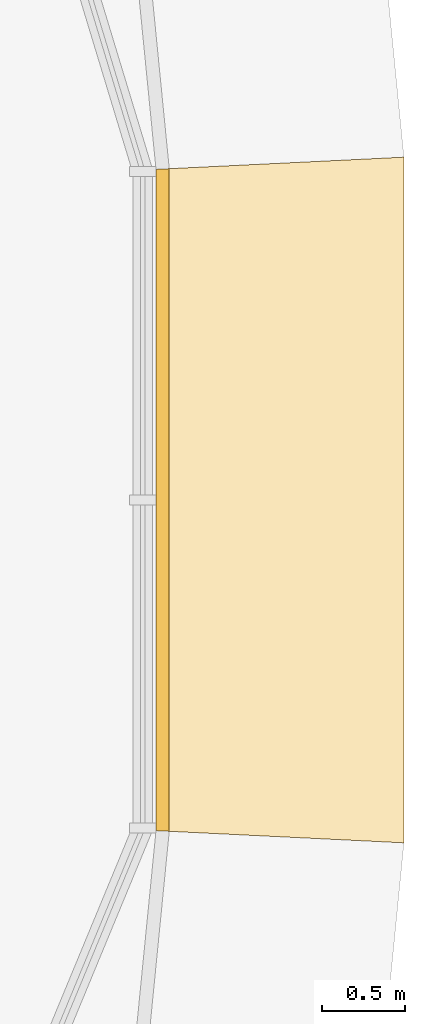
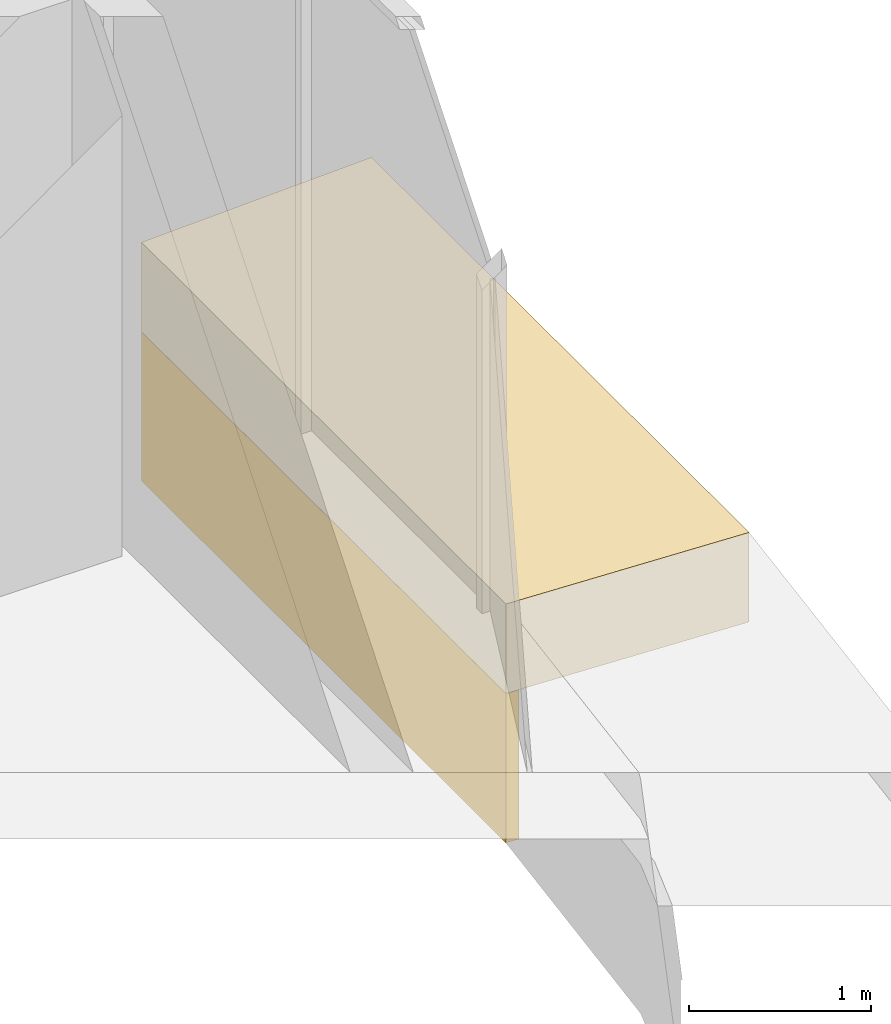
# One storey, part 26 of 26: 2 coverings.
"""IFC4 building model written with IfcOpenShell, lengths in metres."""

from ifc_helpers import new_model, si_unit, direction, frame, origin, place, context, subcontext, project, spatial, polyline, outline, extrude, material, layer, layer_set, type_object, element, save


model = new_model("IFC4")

# Units and contexts
model_context = context("Model", 3, precision=1e-05, world=origin(), true_north=direction((0.0, 1.0)))
body_context = subcontext(model_context, "Body", "Model", "MODEL_VIEW")
ifc_project = project(units=[si_unit("LENGTHUNIT", "METRE"), si_unit("AREAUNIT", "SQUARE_METRE"), si_unit("VOLUMEUNIT", "CUBIC_METRE"), si_unit("PLANEANGLEUNIT", "RADIAN"), si_unit("MASSUNIT", "GRAM", prefix="KILO")], contexts=[model_context])

# Site, building, storey
site_placement = place(None, origin())
site = spatial("IfcSite", under=ifc_project, at=site_placement, CompositionType="ELEMENT")
building_placement = place(site_placement, origin())
building = spatial("IfcBuilding", under=site, at=building_placement, Name="Ogive Portal Towers", CompositionType="ELEMENT")
storey_placement = place(building_placement, frame((0.0, 0.0, 171.800048828125)))
storey = spatial("IfcBuildingStorey", under=building, at=storey_placement, Name="L42", CompositionType="ELEMENT", Elevation=171.800048828125)

# Coverings
ifc_material = material(Name="Limestone cladding on lightweight block wall", Category="masonry")
ifc_layer_1 = layer(ifc_material, 0.080078125)
ifc_layer_set_1 = layer_set([ifc_layer_1], Name="STONE SPANDREL 80")
covering_type_1 = type_object("IfcCoveringType", Name="STONE SPANDREL 80", PredefinedType="CLADDING", material=ifc_layer_set_1)
covering_1_placement = place(storey_placement, frame((0.0, 0.0, -1.60009765625)))
element("IfcCovering", 1, at=covering_1_placement, inside=storey, type_object=covering_type_1, Name="Stone spandrel A2-F03", PredefinedType="CLADDING", context=body_context, shape_type="SweptSolid", body=[
    extrude(outline(polyline([(96.64501953125, 28.5), (96.64501953125, 32.5), (96.72509765625, 32.50390625), (96.72509765625, 28.49609375), (96.64501953125, 28.5)])), origin(), (0.0, 0.0, 1.0), 1.0),
])
ifc_layer_2 = layer(ifc_material, 0.60009765625)
ifc_layer_set_2 = layer_set([ifc_layer_2], Name="SUNSHADE LIP 600")
covering_type_2 = type_object("IfcCoveringType", Name="SUNSHADE LIP 600", PredefinedType="CLADDING", material=ifc_layer_set_2)
covering_2_placement = place(storey_placement, frame((0.0, 0.0, -0.60009765625)))
element("IfcCovering", 2, at=covering_2_placement, inside=storey, type_object=covering_type_2, Name="Sunshade lip A2-F03", PredefinedType="CLADDING", context=body_context, shape_type="SweptSolid", body=[
    extrude(outline(polyline([(96.64501953125, 28.5), (96.64501953125, 32.5), (98.14501953125, 32.57373046875), (98.14501953125, 28.42626953125), (96.64501953125, 28.5)])), origin(), (0.0, 0.0, 1.0), 0.60009765625),
])

save(model, "model.ifc")
